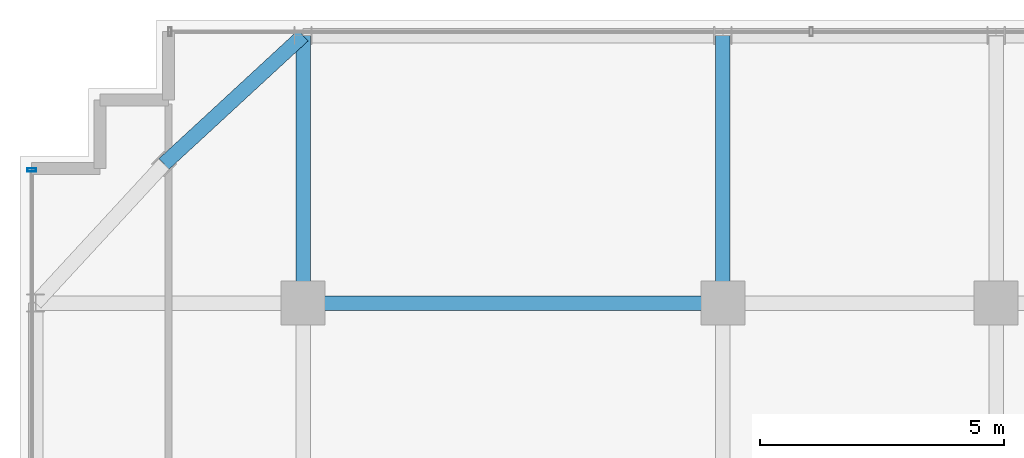
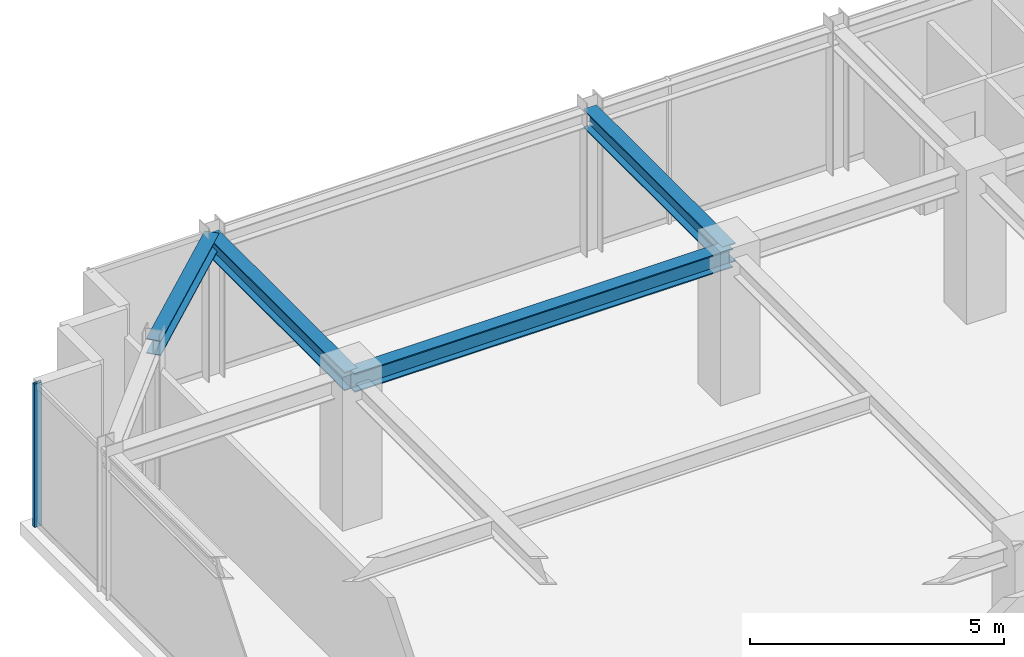
# One storey, part 17 of 33: 4 beams, 1 member, 1 element without a shape of its own.
"""IFC4 building model written with IfcOpenShell, lengths in metres."""

import ifcopenshell
import ifcopenshell.guid

model = None  # the IFC model being written
_history = None  # IfcOwnerHistory: only IFC2X3 demands one
_inside = {}  # id of a spatial element -> (the spatial element, [elements in it])
_under = {}  # id of a project, library or spatial element -> (it, [spatial elements below it])
_declared = {}  # id of a project -> (the project, [libraries it declares])
_typed = {}  # id of a type object -> (the type object, [elements of that type])
_made_of = {}  # id of a material, layer set ... -> (it, [elements and type objects made of it])


def new_model(schema):
    """Start an empty IFC model of exactly this schema.

    Asked for "IFC4X3", IfcOpenShell would pick the latest addendum, in which some entities
    have other attributes; the version numbers below select the first issue.
    IFC2X3 requires an IfcOwnerHistory on every rooted entity: one is made here for all.
    """
    global model, _history
    if schema == "IFC4X3":
        model = ifcopenshell.file(schema_version=(4, 3, 0, 0))
    else:
        model = ifcopenshell.file(schema=schema)
    _inside.clear()
    _under.clear()
    _declared.clear()
    _typed.clear()
    _made_of.clear()
    _history = None
    if model.schema == "IFC2X3":
        org = make("IfcOrganization", Name="unknown")
        user = make(
            "IfcPersonAndOrganization",
            ThePerson=make("IfcPerson", FamilyName="unknown"),
            TheOrganization=org,
        )
        app = make(
            "IfcApplication",
            ApplicationDeveloper=org,
            Version="unknown",
            ApplicationFullName="unknown",
            ApplicationIdentifier="unknown",
        )
        _history = make(
            "IfcOwnerHistory",
            OwningUser=user,
            OwningApplication=app,
            ChangeAction="ADDED",
            CreationDate=0,
        )
    return model


def make(cls, **values):
    """One entity of the class cls with the attributes given. An attribute that is None is left unset."""
    return model.create_entity(
        cls, **{name: value for name, value in values.items() if value is not None}
    )


def rooted(cls, **values):
    """An entity with a GlobalId (a new one), such as an element, a storey or a relation."""
    return make(cls, GlobalId=ifcopenshell.guid.new(), OwnerHistory=_history, **values)


def si_unit(unit_type, name, prefix=None):
    """IfcSIUnit, for example si_unit("LENGTHUNIT", "METRE", prefix="MILLI")."""
    return make("IfcSIUnit", UnitType=unit_type, Prefix=prefix, Name=name)


def assignment(units):
    """IfcUnitAssignment: the units of a project."""
    return None if units is None else make("IfcUnitAssignment", Units=units)


def point(xyz):
    """IfcCartesianPoint."""
    return None if xyz is None else make("IfcCartesianPoint", Coordinates=xyz)


def direction(xyz):
    """IfcDirection."""
    return None if xyz is None else make("IfcDirection", DirectionRatios=xyz)


def frame(location, z_axis=None, x_axis=None):
    """IfcAxis2Placement3D, a coordinate frame: its origin and axes. An axis left out is left unset."""
    return make(
        "IfcAxis2Placement3D",
        Location=point(location),
        Axis=direction(z_axis),
        RefDirection=direction(x_axis),
    )


def frame_2d(location, x_axis=None):
    """IfcAxis2Placement2D, a coordinate frame in the plane: its origin and x axis."""
    return make(
        "IfcAxis2Placement2D", Location=point(location), RefDirection=direction(x_axis)
    )


def origin():
    """The frame at (0, 0, 0) with its axes left unset."""
    return frame((0.0, 0.0, 0.0))


def origin_2d():
    """The frame at (0, 0) in the plane with its x axis left unset."""
    return frame_2d((0.0, 0.0))


def place(relative_to, where):
    """IfcLocalPlacement: puts the frame where relative to a parent placement (None: the world)."""
    return make(
        "IfcLocalPlacement", PlacementRelTo=relative_to, RelativePlacement=where
    )


def context(
    kind, dimensions, precision=None, world=None, true_north=None, identifier=None
):
    """IfcGeometricRepresentationContext, for example the 3D "Model" context."""
    return make(
        "IfcGeometricRepresentationContext",
        ContextIdentifier=identifier,
        ContextType=kind,
        CoordinateSpaceDimension=dimensions,
        Precision=precision,
        WorldCoordinateSystem=world,
        TrueNorth=true_north,
    )


def subcontext(parent, identifier, kind, view, scale=None):
    """IfcGeometricRepresentationSubContext, for example "Body" below "Model"."""
    return make(
        "IfcGeometricRepresentationSubContext",
        ContextIdentifier=identifier,
        ContextType=kind,
        ParentContext=parent,
        TargetScale=scale,
        TargetView=view,
    )


def project(units=None, contexts=None):
    """IfcProject with its units and contexts."""
    return rooted(
        "IfcProject",
        Name="project",
        RepresentationContexts=contexts,
        UnitsInContext=assignment(units),
    )


def spatial(cls, under=None, at=None, **own):
    """A site, building, storey or space (cls), placed at a placement, below another one or the project."""
    s = rooted(cls, ObjectPlacement=at, **own)
    if under is not None:
        _under.setdefault(under.id(), (under, []))[1].append(s)
    return s


def profile(cls, at=None, kind="AREA", **sizes):
    """A parametric profile (cls). Its sizes go by their IFC names, for example OverallWidth=200.0."""
    return make(cls, ProfileType=kind, Position=at, **sizes)


def hollow_rectangle(**sizes):
    """IfcRectangleHollowProfileDef."""
    return profile("IfcRectangleHollowProfileDef", **sizes)


def i_section(**sizes):
    """IfcIShapeProfileDef."""
    return profile("IfcIShapeProfileDef", **sizes)


def extrude(swept, where, along, depth):
    """IfcExtrudedAreaSolid: the profile swept, set in the frame where, extruded along a direction by depth."""
    return make(
        "IfcExtrudedAreaSolid",
        SweptArea=swept,
        Position=where,
        ExtrudedDirection=direction(along),
        Depth=depth,
    )


def shape(context_of_items, identifier, shape_type, items):
    """IfcShapeRepresentation: the items that make up one representation, for example the "Body"."""
    return make(
        "IfcShapeRepresentation",
        ContextOfItems=context_of_items,
        RepresentationIdentifier=identifier,
        RepresentationType=shape_type,
        Items=items,
    )


def source(mapping_origin, context_of_items, identifier, shape_type, items):
    """IfcRepresentationMap: a shape defined once, which mapped items show again and again."""
    return make(
        "IfcRepresentationMap",
        MappingOrigin=mapping_origin,
        MappedRepresentation=shape(context_of_items, identifier, shape_type, items),
    )


def transform(
    local_origin,
    x_axis=None,
    y_axis=None,
    z_axis=None,
    scale=None,
    scale2=None,
    scale3=None,
    uniform=True,
):
    """IfcCartesianTransformationOperator3D, or its non-uniform kind. x_axis, y_axis, z_axis: its Axis1, 2, 3."""
    if uniform:
        return make(
            "IfcCartesianTransformationOperator3D",
            Axis1=direction(x_axis),
            Axis2=direction(y_axis),
            LocalOrigin=point(local_origin),
            Scale=scale,
            Axis3=direction(z_axis),
        )
    return make(
        "IfcCartesianTransformationOperator3DnonUniform",
        Axis1=direction(x_axis),
        Axis2=direction(y_axis),
        LocalOrigin=point(local_origin),
        Scale=scale,
        Axis3=direction(z_axis),
        Scale2=scale2,
        Scale3=scale3,
    )


def mapped(mapping_source, mapping_target):
    """IfcMappedItem: shows the shape of a source again, moved by a transform."""
    return make(
        "IfcMappedItem", MappingSource=mapping_source, MappingTarget=mapping_target
    )


def material(Name=None, Category=None):
    """IfcMaterial."""
    return make("IfcMaterial", Name=Name, Category=Category)


def material_profile(
    of_material, cross_section, Name=None, Category=None, Priority=None
):
    """IfcMaterialProfile: a cross section and its material."""
    return make(
        "IfcMaterialProfile",
        Name=Name,
        Material=of_material,
        Profile=cross_section,
        Priority=Priority,
        Category=Category,
    )


def profile_set(profiles, Name=None, composite=None):
    """IfcMaterialProfileSet."""
    return make(
        "IfcMaterialProfileSet",
        Name=Name,
        MaterialProfiles=profiles,
        CompositeProfile=composite,
    )


def made_of(thing, what):
    """Note that an element or type object is made of a material, layer set ...; save() writes the relation."""
    if what is not None:
        _made_of.setdefault(what.id(), (what, []))[1].append(thing)
    return thing


def type_object(cls, material=None, **own):
    """A type object (cls), such as IfcWallType, which elements share."""
    return made_of(rooted(cls, **own), material)


def element(
    cls,
    number,
    at=None,
    inside=None,
    cuts=None,
    type_object=None,
    material=None,
    context=None,
    identifier="Body",
    shape_type=None,
    held_by="IfcProductDefinitionShape",
    body=None,
    shapes=None,
    **own,
):
    """One element of the class cls, such as IfcWall. Its Tag is "e" and its number.

    at: its placement. inside: the storey or other place that contains it. cuts: it is an
    opening in that element (IfcRelVoidsElement). A single representation is given by context,
    identifier, shape_type and body (its items); several are given by shapes. held_by: the class
    of the entity that holds the representations. save() writes the other relations.
    """
    e = rooted(cls, Tag="e%d" % number, ObjectPlacement=at, **own)
    if body is not None:
        shapes = [shape(context, identifier, shape_type, body)]
    if shapes is not None:
        e.Representation = make(held_by, Representations=shapes)
    if inside is not None:
        _inside.setdefault(inside.id(), (inside, []))[1].append(e)
    if cuts is not None:
        rooted(
            "IfcRelVoidsElement", RelatingBuildingElement=cuts, RelatedOpeningElement=e
        )
    if type_object is not None:
        _typed.setdefault(type_object.id(), (type_object, []))[1].append(e)
    return made_of(e, material)


def aggregate(whole, parts):
    """IfcRelAggregates: a whole, such as a stair, and the parts it consists of."""
    return rooted("IfcRelAggregates", RelatingObject=whole, RelatedObjects=parts)


def save(model, path):
    """Write the relations noted so far, then the file.

    IfcRelAggregates (storeys below a building ...), IfcRelContainedInSpatialStructure (elements
    in a storey), IfcRelDefinesByType, IfcRelAssociatesMaterial and IfcRelDeclares: one each for
    every whole, place, type object, material and project.
    """
    for whole, parts in _under.values():
        aggregate(whole, parts)
    for where, things in _inside.values():
        rooted(
            "IfcRelContainedInSpatialStructure",
            RelatedElements=things,
            RelatingStructure=where,
        )
    for kind, things in _typed.values():
        rooted("IfcRelDefinesByType", RelatedObjects=things, RelatingType=kind)
    for what, things in _made_of.values():
        rooted("IfcRelAssociatesMaterial", RelatedObjects=things, RelatingMaterial=what)
    for by, libraries in _declared.values():
        rooted("IfcRelDeclares", RelatingContext=by, RelatedDefinitions=libraries)
    model.write(path)


model = new_model("IFC4")

# Units and contexts
model_context = context("Model", 3, precision=1e-05, world=origin(), true_north=direction((0.0, 1.0)))
body_context = subcontext(model_context, "Body", "Model", "MODEL_VIEW")
ifc_project = project(units=[si_unit("LENGTHUNIT", "METRE"), si_unit("AREAUNIT", "SQUARE_METRE"), si_unit("VOLUMEUNIT", "CUBIC_METRE"), si_unit("PLANEANGLEUNIT", "RADIAN"), si_unit("MASSUNIT", "GRAM", prefix="KILO")], contexts=[model_context])

# Site, building, storey
site_placement = place(None, origin())
site = spatial("IfcSite", under=ifc_project, at=site_placement, CompositionType="ELEMENT")
building_placement = place(site_placement, origin())
building = spatial("IfcBuilding", under=site, at=building_placement, Name="Nahalor Promenade Grand Hotel", CompositionType="ELEMENT")
storey_placement = place(building_placement, frame((0.0, 0.0, 270.050048828125)))
storey = spatial("IfcBuildingStorey", under=building, at=storey_placement, Name="L69", CompositionType="ELEMENT", Elevation=270.050048828125)

# Beams
ifc_material_1 = material(Name="Steel S355JR", Category="steel")
ifc_material_profile_1 = material_profile(ifc_material_1, i_section(OverallWidth=0.3, OverallDepth=0.45, WebThickness=0.014, FlangeThickness=0.026, at=origin_2d()), Name="HEB 450")
ifc_profile_set_1 = profile_set([ifc_material_profile_1], Name="Steel S355JR")
beam_type_1 = type_object("IfcBeamType", Name="Beam-Girder-HEB450", PredefinedType="BEAM", material=ifc_profile_set_1)
shared_shape_1 = source(origin(), body_context, "Body", "SweptSolid", [
    extrude(i_section(OverallWidth=0.3, OverallDepth=0.45, WebThickness=0.014, FlangeThickness=0.026, at=origin_2d()), origin(), (0.0, 0.0, 1.0), 8.60009765625),
])
beam_1_placement = place(storey_placement, frame((-17.0, 17.0, 3.224853515625), z_axis=(1.0, 0.0, 0.0), x_axis=(0.0, 1.0, 0.0)))
element("IfcBeam", 1, at=beam_1_placement, inside=storey, type_object=beam_type_1, Name="BM-L69-GX-3-1", PredefinedType="BEAM", context=body_context, shape_type="MappedRepresentation", body=[
    mapped(shared_shape_1, transform((0.0, 0.0, 0.0), scale=1.0)),
])
shared_shape_2 = source(origin(), body_context, "Body", "SweptSolid", [
    extrude(i_section(OverallWidth=0.3, OverallDepth=0.45, WebThickness=0.014, FlangeThickness=0.026, at=origin_2d()), origin(), (0.0, 0.0, 1.0), 5.47998046875),
])
for number, where, z_axis, x_axis, name in (
    (2, (-17.0, 17.0, 3.224853515625), (0.0, 1.0, 0.0), (-1.0, 0.0, 0.0), "BM-L69-GY-0-4"),
    (3, (-8.39990234375, 17.0, 3.224853515625), (0.0, 1.0, 0.0), (-1.0, 0.0, 0.0), "BM-L69-GY-1-4"),
):
    element("IfcBeam", number, at=place(storey_placement, frame(where, z_axis=z_axis, x_axis=x_axis)), inside=storey, type_object=beam_type_1, Name=name, PredefinedType="BEAM", context=body_context, shape_type="MappedRepresentation", body=[
        mapped(shared_shape_2, transform((0.0, 0.0, 0.0), scale=1.0)),
    ])
ifc_material_profile_2 = material_profile(ifc_material_1, i_section(OverallWidth=0.3, OverallDepth=0.36, WebThickness=0.0125, FlangeThickness=0.0225, at=origin_2d()), Name="HEB 360")
ifc_profile_set_2 = profile_set([ifc_material_profile_2], Name="Steel S355JR")
beam_type_2 = type_object("IfcBeamType", Name="Beam-Spandrel-HEB360", PredefinedType="SPANDREL", material=ifc_profile_set_2)
shared_shape_3 = source(origin(), body_context, "Body", "SweptSolid", [
    extrude(i_section(OverallWidth=0.3, OverallDepth=0.36, WebThickness=0.0125, FlangeThickness=0.0225, at=origin_2d()), origin(), (0.0, 0.0, 1.0), 3.878173828125),
])
beam_2_placement = place(storey_placement, frame((-17.0, 22.47998046875, 3.27001953125), z_axis=(-0.73492893846, -0.678144125843, 0.0), x_axis=(0.678144125843, -0.73492893846, 0.0)))
element("IfcBeam", 4, at=beam_2_placement, inside=storey, type_object=beam_type_2, Name="BM-L69-SPC-NW-1", PredefinedType="SPANDREL", context=body_context, shape_type="MappedRepresentation", body=[
    mapped(shared_shape_3, transform((0.0, 0.0, 0.0), scale=1.0)),
])

# Curtain wall, member
ifc_material_2 = material(Name="Anodised Bronze Aluminium EN AW-6063 T6", Category="aluminium")
curtain_wall_type = type_object("IfcCurtainWallType", Name="CW2 Typical Hotel Flush Bronze Unitised Curtain Wall", PredefinedType="USERDEFINED", material=ifc_material_2)
curtain_wall_placement = place(storey_placement, origin())
curtain_wall = element("IfcCurtainWall", 5, at=curtain_wall_placement, inside=storey, type_object=curtain_wall_type, Name="L69 Curtain Wall CW-L69-W-1", ObjectType="UNITISED_CURTAIN_WALL", PredefinedType="USERDEFINED")
ifc_material_profile_3 = material_profile(ifc_material_2, hollow_rectangle(XDim=0.065, YDim=0.18, WallThickness=0.004, at=origin_2d()), Name="CWM 65x180x4")
ifc_profile_set_3 = profile_set([ifc_material_profile_3], Name="Anodised Bronze Aluminium EN AW-6063 T6")
member_type = type_object("IfcMemberType", Name="CWM2 Typical Bronze Mullion 65x180", PredefinedType="MULLION", material=ifc_profile_set_3)
shared_shape_4 = source(origin(), body_context, "Body", "SweptSolid", [
    extrude(hollow_rectangle(XDim=0.065, YDim=0.18, WallThickness=0.004, at=origin_2d()), origin(), (0.0, 0.0, 1.0), 3.449951171875),
])
member_placement = place(storey_placement, frame((-22.56005859375, 19.7275390625, 0.0), z_axis=(0.0, 0.0, 1.0), x_axis=(0.0, 1.0, 0.0)))
member = element("IfcMember", 6, at=member_placement, type_object=member_type, Name="CW-L69-W-1 Mullion 3", PredefinedType="MULLION", context=body_context, shape_type="MappedRepresentation", body=[
    mapped(shared_shape_4, transform((0.0, 0.0, 0.0), scale=1.0)),
])
aggregate(curtain_wall, [member])

save(model, "model.ifc")
